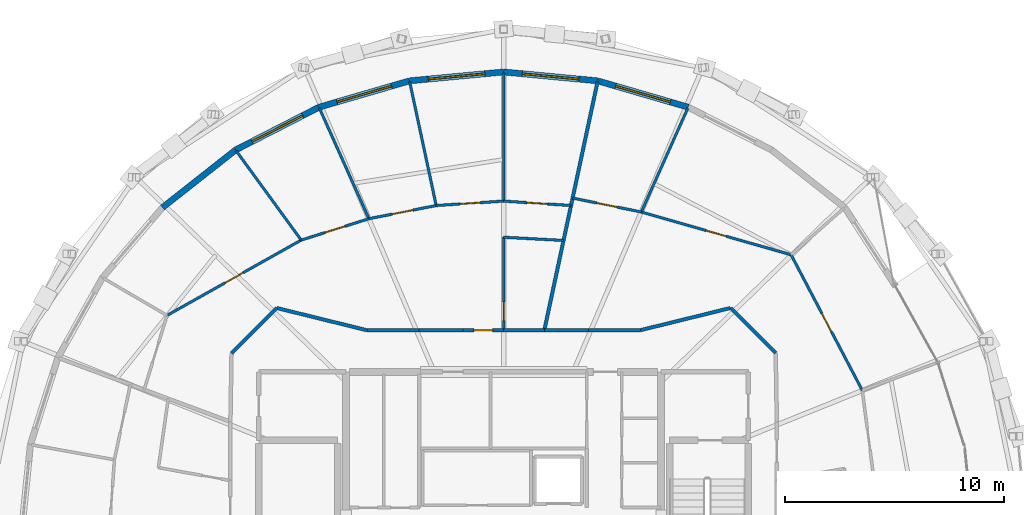
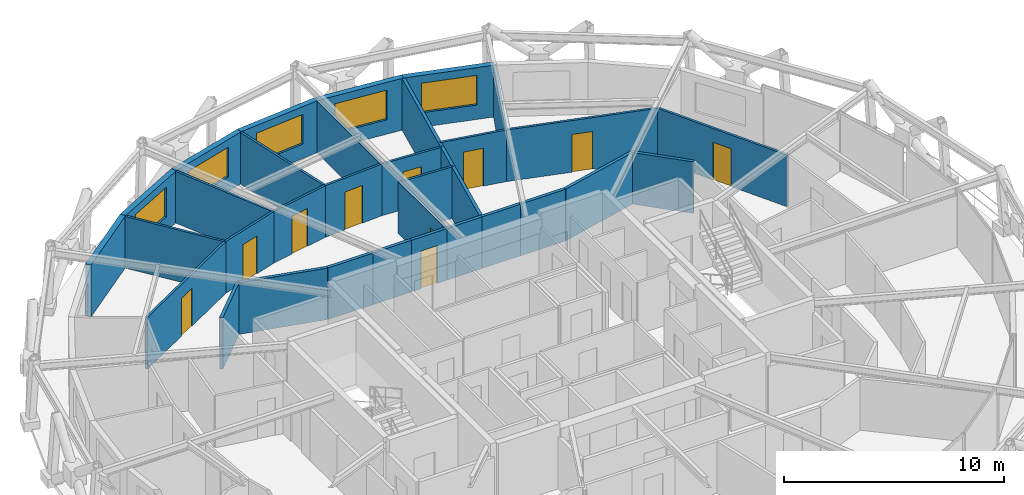
# One storey, part 15 of 17: 32 walls, 10 doors, 5 windows, 15 openings.
"""IFC4 building model written with IfcOpenShell, lengths in metres."""

from ifc_helpers import new_model, si_unit, direction, frame, frame_2d, origin, place, context, subcontext, project, spatial, rectangle, extrude, material, layer, layer_set, type_object, element, fill, save


model = new_model("IFC4")

# Units and contexts
model_context = context("Model", 3, precision=1e-05, world=origin(), true_north=direction((0.0, 1.0)))
body_context = subcontext(model_context, "Body", "Model", "MODEL_VIEW")
ifc_project = project(units=[si_unit("LENGTHUNIT", "METRE"), si_unit("AREAUNIT", "SQUARE_METRE"), si_unit("VOLUMEUNIT", "CUBIC_METRE"), si_unit("PLANEANGLEUNIT", "RADIAN"), si_unit("MASSUNIT", "GRAM", prefix="KILO")], contexts=[model_context])

# Site, building, storey
site_placement = place(None, origin())
site = spatial("IfcSite", under=ifc_project, at=site_placement, CompositionType="ELEMENT")
building_placement = place(site_placement, origin())
building = spatial("IfcBuilding", under=site, at=building_placement, Name="Veldorina Hangang Commons", CompositionType="ELEMENT")
storey_placement = place(building_placement, frame((0.0, 0.0, 236.39990234375)))
storey = spatial("IfcBuildingStorey", under=building, at=storey_placement, Name="L61", CompositionType="ELEMENT", Elevation=236.39990234375)

# Wall, opening, window
ifc_material_1 = material(Name="Stone Roman Travertine", Category="masonry")
ifc_layer_1 = layer(ifc_material_1, 0.280029296875)
ifc_layer_set_1 = layer_set([ifc_layer_1], Name="Stone Roman Travertine")
wall_type_1 = type_object("IfcWallType", Name="EW-TRAV-280", PredefinedType="STANDARD", material=ifc_layer_set_1)
wall_1_placement = place(storey_placement, frame((40.432861328125, 43.536376953125, 0.0), z_axis=(0.0, 0.0, 1.0), x_axis=(-0.960144675866, 0.279503490866, 0.0)))
wall_1 = element("IfcWall", 1, at=wall_1_placement, inside=storey, type_object=wall_type_1, Name="L61 travertine facade wall 06", PredefinedType="STANDARD", context=body_context, shape_type="SweptSolid", body=[
    extrude(rectangle(XDim=4.305419921875, YDim=0.280029296875, at=frame_2d((2.15283203125, 0.0))), origin(), (0.0, 0.0, 1.0), 2.880126953125),
])
opening_1_placement = place(wall_1_placement, frame((0.852783203125, 0.0, 0.800048828125)))
opening_1 = element("IfcOpeningElement", 2, at=opening_1_placement, cuts=wall_1, Name="Opening W-02", PredefinedType="OPENING", context=body_context, shape_type="SweptSolid", body=[
    extrude(rectangle(XDim=2.60009765625, YDim=1.64990234375, at=frame_2d((1.300048828125, 0.824951171875))), frame((0.0, 0.14990234375, 0.0), z_axis=(0.0, -1.0, 0.0), x_axis=(1.0, 0.0, 0.0)), (0.0, 0.0, 1.0), 0.300048828125),
])
ifc_material_2 = material(Name="Glass Low-E Triple IGU", Category="glass")
window_type = type_object("IfcWindowType", Name="WIN-TWR-2600", PartitioningType="SINGLE_PANEL", PredefinedType="WINDOW", material=ifc_material_2)
window_1_placement = place(opening_1_placement, origin())
window_1 = element("IfcWindow", 3, at=window_1_placement, inside=storey, type_object=window_type, Name="L61 facade window 06", OverallHeight=1.64990234375, OverallWidth=2.60009765625, PartitioningType="SINGLE_PANEL", PredefinedType="WINDOW", context=body_context, shape_type="SweptSolid", body=[
    extrude(rectangle(XDim=2.60009765625, YDim=1.64990234375, at=frame_2d((1.300048828125, 0.824951171875))), frame((0.0, 0.030029296875, 0.0), z_axis=(0.0, -1.0, 0.0), x_axis=(1.0, 0.0, 0.0)), (0.0, 0.0, 1.0), 0.06005859375),
])
fill(opening_1, window_1)

wall_2_placement = place(storey_placement, frame((36.299072265625, 44.73974609375, 0.0), z_axis=(0.0, 0.0, 1.0), x_axis=(-0.995564827598, 0.094078021076, 0.0)))
wall_2 = element("IfcWall", 4, at=wall_2_placement, inside=storey, type_object=wall_type_1, Name="L61 travertine facade wall 07", PredefinedType="STANDARD", context=body_context, shape_type="SweptSolid", body=[
    extrude(rectangle(XDim=4.318115234375, YDim=0.280029296875, at=frame_2d((2.1591796875, 0.0))), origin(), (0.0, 0.0, 1.0), 2.880126953125),
])
opening_2_placement = place(wall_2_placement, frame((0.859130859375, 0.0, 0.800048828125)))
opening_2 = element("IfcOpeningElement", 5, at=opening_2_placement, cuts=wall_2, Name="Opening W-02", PredefinedType="OPENING", context=body_context, shape_type="SweptSolid", body=[
    extrude(rectangle(XDim=2.60009765625, YDim=1.64990234375, at=frame_2d((1.300048828125, 0.824951171875))), frame((0.0, 0.14990234375, 0.0), z_axis=(0.0, -1.0, 0.0), x_axis=(1.0, 0.0, 0.0)), (0.0, 0.0, 1.0), 0.300048828125),
])
window_2_placement = place(opening_2_placement, origin())
window_2 = element("IfcWindow", 6, at=window_2_placement, inside=storey, type_object=window_type, Name="L61 facade window 07", OverallHeight=1.64990234375, OverallWidth=2.60009765625, PartitioningType="SINGLE_PANEL", PredefinedType="WINDOW", context=body_context, shape_type="SweptSolid", body=[
    extrude(rectangle(XDim=2.60009765625, YDim=1.64990234375, at=frame_2d((1.300048828125, 0.824951171875))), frame((0.0, 0.030029296875, 0.0), z_axis=(0.0, -1.0, 0.0), x_axis=(1.0, 0.0, 0.0)), (0.0, 0.0, 1.0), 0.06005859375),
])
fill(opening_2, window_2)

wall_3_placement = place(storey_placement, frame((32.0, 45.14599609375, 0.0), z_axis=(0.0, 0.0, 1.0), x_axis=(-0.995564827598, -0.094078021076, 0.0)))
wall_3 = element("IfcWall", 7, at=wall_3_placement, inside=storey, type_object=wall_type_1, Name="L61 travertine facade wall 08", PredefinedType="STANDARD", context=body_context, shape_type="SweptSolid", body=[
    extrude(rectangle(XDim=4.318115234375, YDim=0.280029296875, at=frame_2d((2.1591796875, 0.0))), origin(), (0.0, 0.0, 1.0), 2.880126953125),
])
opening_3_placement = place(wall_3_placement, frame((0.859130859375, 0.0, 0.800048828125)))
opening_3 = element("IfcOpeningElement", 8, at=opening_3_placement, cuts=wall_3, Name="Opening W-02", PredefinedType="OPENING", context=body_context, shape_type="SweptSolid", body=[
    extrude(rectangle(XDim=2.60009765625, YDim=1.64990234375, at=frame_2d((1.300048828125, 0.824951171875))), frame((0.0, 0.14990234375, 0.0), z_axis=(0.0, -1.0, 0.0), x_axis=(1.0, 0.0, 0.0)), (0.0, 0.0, 1.0), 0.300048828125),
])
window_3_placement = place(opening_3_placement, origin())
window_3 = element("IfcWindow", 9, at=window_3_placement, inside=storey, type_object=window_type, Name="L61 facade window 08", OverallHeight=1.64990234375, OverallWidth=2.60009765625, PartitioningType="SINGLE_PANEL", PredefinedType="WINDOW", context=body_context, shape_type="SweptSolid", body=[
    extrude(rectangle(XDim=2.60009765625, YDim=1.64990234375, at=frame_2d((1.300048828125, 0.824951171875))), frame((0.0, 0.030029296875, 0.0), z_axis=(0.0, -1.0, 0.0), x_axis=(1.0, 0.0, 0.0)), (0.0, 0.0, 1.0), 0.06005859375),
])
fill(opening_3, window_3)

wall_4_placement = place(storey_placement, frame((27.700927734375, 44.73974609375, 0.0), z_axis=(0.0, 0.0, 1.0), x_axis=(-0.960144675866, -0.279503490866, 0.0)))
wall_4 = element("IfcWall", 10, at=wall_4_placement, inside=storey, type_object=wall_type_1, Name="L61 travertine facade wall 09", PredefinedType="STANDARD", context=body_context, shape_type="SweptSolid", body=[
    extrude(rectangle(XDim=4.305419921875, YDim=0.280029296875, at=frame_2d((2.15283203125, 0.0))), origin(), (0.0, 0.0, 1.0), 2.880126953125),
])
opening_4_placement = place(wall_4_placement, frame((0.852783203125, 0.0, 0.800048828125)))
opening_4 = element("IfcOpeningElement", 11, at=opening_4_placement, cuts=wall_4, Name="Opening W-02", PredefinedType="OPENING", context=body_context, shape_type="SweptSolid", body=[
    extrude(rectangle(XDim=2.60009765625, YDim=1.64990234375, at=frame_2d((1.300048828125, 0.824951171875))), frame((0.0, 0.14990234375, 0.0), z_axis=(0.0, -1.0, 0.0), x_axis=(1.0, 0.0, 0.0)), (0.0, 0.0, 1.0), 0.300048828125),
])
window_4_placement = place(opening_4_placement, origin())
window_4 = element("IfcWindow", 12, at=window_4_placement, inside=storey, type_object=window_type, Name="L61 facade window 09", OverallHeight=1.64990234375, OverallWidth=2.60009765625, PartitioningType="SINGLE_PANEL", PredefinedType="WINDOW", context=body_context, shape_type="SweptSolid", body=[
    extrude(rectangle(XDim=2.60009765625, YDim=1.64990234375, at=frame_2d((1.300048828125, 0.824951171875))), frame((0.0, 0.030029296875, 0.0), z_axis=(0.0, -1.0, 0.0), x_axis=(1.0, 0.0, 0.0)), (0.0, 0.0, 1.0), 0.06005859375),
])
fill(opening_4, window_4)

wall_5_placement = place(storey_placement, frame((23.567138671875, 43.536376953125, 0.0), z_axis=(0.0, 0.0, 1.0), x_axis=(-0.889784216581, -0.456381471933, 0.0)))
wall_5 = element("IfcWall", 13, at=wall_5_placement, inside=storey, type_object=wall_type_1, Name="L61 travertine facade wall 10", PredefinedType="STANDARD", context=body_context, shape_type="SweptSolid", body=[
    extrude(rectangle(XDim=4.28173828125, YDim=0.280029296875, at=frame_2d((2.140869140625, 0.0))), origin(), (0.0, 0.0, 1.0), 2.880126953125),
])
opening_5_placement = place(wall_5_placement, frame((0.8408203125, 0.0, 0.800048828125)))
opening_5 = element("IfcOpeningElement", 14, at=opening_5_placement, cuts=wall_5, Name="Opening W-02", PredefinedType="OPENING", context=body_context, shape_type="SweptSolid", body=[
    extrude(rectangle(XDim=2.60009765625, YDim=1.64990234375, at=frame_2d((1.300048828125, 0.824951171875))), frame((0.0, 0.14990234375, 0.0), z_axis=(0.0, -1.0, 0.0), x_axis=(1.0, 0.0, 0.0)), (0.0, 0.0, 1.0), 0.300048828125),
])
window_5_placement = place(opening_5_placement, origin())
window_5 = element("IfcWindow", 15, at=window_5_placement, inside=storey, type_object=window_type, Name="L61 facade window 10", OverallHeight=1.64990234375, OverallWidth=2.60009765625, PartitioningType="SINGLE_PANEL", PredefinedType="WINDOW", context=body_context, shape_type="SweptSolid", body=[
    extrude(rectangle(XDim=2.60009765625, YDim=1.64990234375, at=frame_2d((1.300048828125, 0.824951171875))), frame((0.0, 0.030029296875, 0.0), z_axis=(0.0, -1.0, 0.0), x_axis=(1.0, 0.0, 0.0)), (0.0, 0.0, 1.0), 0.06005859375),
])
fill(opening_5, window_5)

# Walls
wall_6_placement = place(storey_placement, frame((19.75732421875, 41.582275390625, 0.0), z_axis=(0.0, 0.0, 1.0), x_axis=(-0.78564818009, -0.618673530322, 0.0)))
element("IfcWall", 16, at=wall_6_placement, inside=storey, type_object=wall_type_1, Name="L61 travertine facade wall 11", PredefinedType="STANDARD", context=body_context, shape_type="SweptSolid", body=[
    extrude(rectangle(XDim=4.25048828125, YDim=0.280029296875, at=frame_2d((2.125244140625, 0.0))), origin(), (0.0, 0.0, 1.0), 2.880126953125),
])
ifc_material_3 = material(Name="Gypsum Fire-Rated Twin Stud Wall", Category="gypsum")
ifc_layer_2 = layer(ifc_material_3, 0.159912109375)
ifc_layer_set_2 = layer_set([ifc_layer_2], Name="Gypsum Fire-Rated Twin Stud Wall")
wall_type_2 = type_object("IfcWallType", Name="WL-FIRE-160", PredefinedType="SOLIDWALL", material=ifc_layer_set_2)
wall_7_placement = place(storey_placement, frame((44.4267578125, 32.30322265625, 0.0), z_axis=(0.0, 0.0, 1.0), x_axis=(-0.707106781187, 0.707106781187, 0.0)))
element("IfcWall", 17, at=wall_7_placement, inside=storey, type_object=wall_type_2, Name="L61 Compact collar outer wall 03 059", PredefinedType="SOLIDWALL", context=body_context, shape_type="SweptSolid", body=[
    extrude(rectangle(XDim=2.915771484375, YDim=0.159912109375, at=frame_2d((1.4580078125, 0.0))), origin(), (0.0, 0.0, 1.0), 2.8701171875),
])
wall_8_placement = place(storey_placement, frame((42.364990234375, 34.364990234375, 0.0), z_axis=(0.0, 0.0, 1.0), x_axis=(-0.970939799552, -0.239323850978, 0.0)))
element("IfcWall", 18, at=wall_8_placement, inside=storey, type_object=wall_type_2, Name="L61 Compact collar outer wall 04 060", PredefinedType="SOLIDWALL", context=body_context, shape_type="SweptSolid", body=[
    extrude(rectangle(XDim=4.24072265625, YDim=0.159912109375, at=frame_2d((2.120361328125, 0.0))), origin(), (0.0, 0.0, 1.0), 2.8701171875),
])
wall_9_placement = place(storey_placement, frame((38.24755859375, 33.35009765625, 0.0), z_axis=(0.0, 0.0, 1.0), x_axis=(-1.0, 0.0, 0.0)))
element("IfcWall", 19, at=wall_9_placement, inside=storey, type_object=wall_type_2, Name="L61 Compact collar outer wall 05 061", PredefinedType="SOLIDWALL", context=body_context, shape_type="SweptSolid", body=[
    extrude(rectangle(XDim=2.374755859375, YDim=0.159912109375, at=frame_2d((1.1875, 0.0))), origin(), (0.0, 0.0, 1.0), 2.8701171875),
])
wall_10_placement = place(storey_placement, frame((35.872802734375, 33.35009765625, 0.0), z_axis=(0.0, 0.0, 1.0), x_axis=(-1.0, 0.0, 0.0)))
element("IfcWall", 20, at=wall_10_placement, inside=storey, type_object=wall_type_2, Name="L61 Compact collar outer wall 06 062", PredefinedType="SOLIDWALL", context=body_context, shape_type="SweptSolid", body=[
    extrude(rectangle(XDim=2.012939453125, YDim=0.159912109375, at=frame_2d((1.00634765625, 0.0))), origin(), (0.0, 0.0, 1.0), 2.8701171875),
])
wall_11_placement = place(storey_placement, frame((33.85986328125, 33.35009765625, 0.0), z_axis=(0.0, 0.0, 1.0), x_axis=(-1.0, 0.0, 0.0)))
element("IfcWall", 21, at=wall_11_placement, inside=storey, type_object=wall_type_2, Name="L61 Compact collar outer wall 07 063", PredefinedType="SOLIDWALL", context=body_context, shape_type="SweptSolid", body=[
    extrude(rectangle(XDim=1.85986328125, YDim=0.159912109375, at=frame_2d((0.929931640625, 0.0))), origin(), (0.0, 0.0, 1.0), 2.8701171875),
])

# Wall, opening, door
wall_12_placement = place(storey_placement, frame((32.0, 33.35009765625, 0.0), z_axis=(0.0, 0.0, 1.0), x_axis=(-1.0, 0.0, 0.0)))
wall_12 = element("IfcWall", 22, at=wall_12_placement, inside=storey, type_object=wall_type_2, Name="L61 Compact collar outer wall 08 064", PredefinedType="SOLIDWALL", context=body_context, shape_type="SweptSolid", body=[
    extrude(rectangle(XDim=1.85986328125, YDim=0.159912109375, at=frame_2d((0.929931640625, 0.0))), origin(), (0.0, 0.0, 1.0), 2.8701171875),
])
opening_6_placement = place(wall_12_placement, frame((0.5, 0.0, 0.0)))
opening_6 = element("IfcOpeningElement", 23, at=opening_6_placement, cuts=wall_12, Name="Opening D-01N", PredefinedType="OPENING", context=body_context, shape_type="SweptSolid", body=[
    extrude(rectangle(XDim=0.860107421875, YDim=2.10009765625, at=frame_2d((0.43017578125, 1.050048828125))), frame((0.0, 0.08984375, 0.0), z_axis=(0.0, -1.0, 0.0), x_axis=(1.0, 0.0, 0.0)), (0.0, 0.0, 1.0), 0.179931640625),
])
ifc_material_4 = material(Name="Timber Fire-Rated Core", Category="wood")
door_type_1 = type_object("IfcDoorType", Name="DR-INT-860", OperationType="SINGLE_SWING_LEFT", PredefinedType="DOOR", material=ifc_material_4)
door_1_placement = place(opening_6_placement, origin())
door_1 = element("IfcDoor", 24, at=door_1_placement, inside=storey, type_object=door_type_1, Name="L61 Cluster 3 entrance door 033", OperationType="SINGLE_SWING_LEFT", OverallHeight=2.10009765625, OverallWidth=0.860107421875, PredefinedType="DOOR", context=body_context, shape_type="SweptSolid", body=[
    extrude(rectangle(XDim=0.860107421875, YDim=2.10009765625, at=frame_2d((0.43017578125, 1.050048828125))), frame((0.0, 0.02490234375, 0.0), z_axis=(0.0, -1.0, 0.0), x_axis=(1.0, 0.0, 0.0)), (0.0, 0.0, 1.0), 0.050048828125),
])
fill(opening_6, door_1)

# Walls
wall_13_placement = place(storey_placement, frame((30.14013671875, 33.35009765625, 0.0), z_axis=(0.0, 0.0, 1.0), x_axis=(-1.0, 0.0, 0.0)))
element("IfcWall", 25, at=wall_13_placement, inside=storey, type_object=wall_type_2, Name="L61 Compact collar outer wall 09 065", PredefinedType="SOLIDWALL", context=body_context, shape_type="SweptSolid", body=[
    extrude(rectangle(XDim=2.012939453125, YDim=0.159912109375, at=frame_2d((1.00634765625, 0.0))), origin(), (0.0, 0.0, 1.0), 2.8701171875),
])
wall_14_placement = place(storey_placement, frame((28.127197265625, 33.35009765625, 0.0), z_axis=(0.0, 0.0, 1.0), x_axis=(-1.0, 0.0, 0.0)))
element("IfcWall", 26, at=wall_14_placement, inside=storey, type_object=wall_type_2, Name="L61 Compact collar outer wall 10 066", PredefinedType="SOLIDWALL", context=body_context, shape_type="SweptSolid", body=[
    extrude(rectangle(XDim=2.374755859375, YDim=0.159912109375, at=frame_2d((1.1875, 0.0))), origin(), (0.0, 0.0, 1.0), 2.8701171875),
])
wall_15_placement = place(storey_placement, frame((25.75244140625, 33.35009765625, 0.0), z_axis=(0.0, 0.0, 1.0), x_axis=(-0.970939799552, 0.239323850978, 0.0)))
element("IfcWall", 27, at=wall_15_placement, inside=storey, type_object=wall_type_2, Name="L61 Compact collar outer wall 11 067", PredefinedType="SOLIDWALL", context=body_context, shape_type="SweptSolid", body=[
    extrude(rectangle(XDim=4.24072265625, YDim=0.159912109375, at=frame_2d((2.120361328125, 0.0))), origin(), (0.0, 0.0, 1.0), 2.8701171875),
])
wall_16_placement = place(storey_placement, frame((21.635009765625, 34.364990234375, 0.0), z_axis=(0.0, 0.0, 1.0), x_axis=(-0.707106781187, -0.707106781187, 0.0)))
element("IfcWall", 28, at=wall_16_placement, inside=storey, type_object=wall_type_2, Name="L61 Compact collar outer wall 12 068", PredefinedType="SOLIDWALL", context=body_context, shape_type="SweptSolid", body=[
    extrude(rectangle(XDim=2.915771484375, YDim=0.159912109375, at=frame_2d((1.4580078125, 0.0))), origin(), (0.0, 0.0, 1.0), 2.8701171875),
])
wall_17_placement = place(storey_placement, frame((33.85986328125, 33.35009765625, 0.0), z_axis=(0.0, 0.0, 1.0), x_axis=(0.209408330321, 0.97782828308, 0.0)))
element("IfcWall", 29, at=wall_17_placement, inside=storey, type_object=wall_type_2, Name="L61 Unit party wall 07 103", PredefinedType="SOLIDWALL", context=body_context, shape_type="SweptSolid", body=[
    extrude(rectangle(XDim=11.597900390625, YDim=0.159912109375, at=frame_2d((5.798828125, 0.0))), origin(), (0.0, 0.0, 1.0), 2.8701171875),
])

# Wall, opening, door
ifc_material_5 = material(Name="Gypsum Acoustic Stud Partition", Category="gypsum")
ifc_layer_3 = layer(ifc_material_5, 0.1201171875)
ifc_layer_set_3 = layer_set([ifc_layer_3], Name="Gypsum Acoustic Stud Partition")
wall_type_3 = type_object("IfcWallType", Name="WL-PART-120", PredefinedType="PARTITIONING", material=ifc_layer_set_3)
wall_18_placement = place(storey_placement, frame((48.381591796875, 30.60498046875, 0.0), z_axis=(0.0, 0.0, 1.0), x_axis=(-0.46497072963, 0.885326053264, 0.0)))
wall_18 = element("IfcWall", 30, at=wall_18_placement, inside=storey, type_object=wall_type_3, Name="L61 Cluster 2 bed 2 front wall 097", PredefinedType="PARTITIONING", context=body_context, shape_type="SweptSolid", body=[
    extrude(rectangle(XDim=6.993408203125, YDim=0.1201171875, at=frame_2d((3.49658203125, 0.0))), origin(), (0.0, 0.0, 1.0), 2.8701171875),
])
opening_7_placement = place(wall_18_placement, frame((3.021484375, 0.0, 0.0)))
opening_7 = element("IfcOpeningElement", 31, at=opening_7_placement, cuts=wall_18, Name="Opening D-02", PredefinedType="OPENING", context=body_context, shape_type="SweptSolid", body=[
    extrude(rectangle(XDim=0.949951171875, YDim=2.10009765625, at=frame_2d((0.47509765625, 1.050048828125))), frame((0.0, 0.070068359375, 0.0), z_axis=(0.0, -1.0, 0.0), x_axis=(1.0, 0.0, 0.0)), (0.0, 0.0, 1.0), 0.14013671875),
])
ifc_material_6 = material(Name="Timber Solid Core Acoustic", Category="wood")
door_type_2 = type_object("IfcDoorType", Name="DR-INT-950", OperationType="SINGLE_SWING_LEFT", PredefinedType="DOOR", material=ifc_material_6)
door_2_placement = place(opening_7_placement, origin())
door_2 = element("IfcDoor", 32, at=door_2_placement, inside=storey, type_object=door_type_2, Name="L61 Cluster 2 bed 2 door 029", OperationType="SINGLE_SWING_LEFT", OverallHeight=2.10009765625, OverallWidth=0.949951171875, PredefinedType="DOOR", context=body_context, shape_type="SweptSolid", body=[
    extrude(rectangle(XDim=0.949951171875, YDim=2.10009765625, at=frame_2d((0.47509765625, 1.050048828125))), frame((0.0, 0.02490234375, 0.0), z_axis=(0.0, -1.0, 0.0), x_axis=(1.0, 0.0, 0.0)), (0.0, 0.0, 1.0), 0.050048828125),
])
fill(opening_7, door_2)

wall_19_placement = place(storey_placement, frame((45.1298828125, 36.79638671875, 0.0), z_axis=(0.0, 0.0, 1.0), x_axis=(-0.961595149336, 0.274471799595, 0.0)))
wall_19 = element("IfcWall", 33, at=wall_19_placement, inside=storey, type_object=wall_type_3, Name="L61 Cluster 2 bed 3 front wall 099", PredefinedType="PARTITIONING", context=body_context, shape_type="SweptSolid", body=[
    extrude(rectangle(XDim=7.11328125, YDim=0.1201171875, at=frame_2d((3.556640625, 0.0))), origin(), (0.0, 0.0, 1.0), 2.8701171875),
])
opening_8_placement = place(wall_19_placement, frame((3.081787109375, 0.0, 0.0)))
opening_8 = element("IfcOpeningElement", 34, at=opening_8_placement, cuts=wall_19, Name="Opening D-02", PredefinedType="OPENING", context=body_context, shape_type="SweptSolid", body=[
    extrude(rectangle(XDim=0.949951171875, YDim=2.10009765625, at=frame_2d((0.47509765625, 1.050048828125))), frame((0.0, 0.070068359375, 0.0), z_axis=(0.0, -1.0, 0.0), x_axis=(1.0, 0.0, 0.0)), (0.0, 0.0, 1.0), 0.14013671875),
])
door_3_placement = place(opening_8_placement, origin())
door_3 = element("IfcDoor", 35, at=door_3_placement, inside=storey, type_object=door_type_2, Name="L61 Cluster 2 bed 3 door 030", OperationType="SINGLE_SWING_RIGHT", OverallHeight=2.10009765625, OverallWidth=0.949951171875, PredefinedType="DOOR", context=body_context, shape_type="SweptSolid", body=[
    extrude(rectangle(XDim=0.949951171875, YDim=2.10009765625, at=frame_2d((0.47509765625, 1.050048828125))), frame((0.0, 0.02490234375, 0.0), z_axis=(0.0, -1.0, 0.0), x_axis=(1.0, 0.0, 0.0)), (0.0, 0.0, 1.0), 0.050048828125),
])
fill(opening_8, door_3)

wall_20_placement = place(storey_placement, frame((38.289794921875, 38.748779296875, 0.0), z_axis=(0.0, 0.0, 1.0), x_axis=(-0.9799449922, 0.199268191799, 0.0)))
wall_20 = element("IfcWall", 36, at=wall_20_placement, inside=storey, type_object=wall_type_3, Name="L61 Cluster 2 bed 4 front wall 101", PredefinedType="PARTITIONING", context=body_context, shape_type="SweptSolid", body=[
    extrude(rectangle(XDim=3.201416015625, YDim=0.1201171875, at=frame_2d((1.6005859375, 0.0))), origin(), (0.0, 0.0, 1.0), 2.8701171875),
])
opening_9_placement = place(wall_20_placement, frame((1.12548828125, 0.0, 0.0)))
opening_9 = element("IfcOpeningElement", 37, at=opening_9_placement, cuts=wall_20, Name="Opening D-02", PredefinedType="OPENING", context=body_context, shape_type="SweptSolid", body=[
    extrude(rectangle(XDim=0.949951171875, YDim=2.10009765625, at=frame_2d((0.47509765625, 1.050048828125))), frame((0.0, 0.070068359375, 0.0), z_axis=(0.0, -1.0, 0.0), x_axis=(1.0, 0.0, 0.0)), (0.0, 0.0, 1.0), 0.14013671875),
])
door_4_placement = place(opening_9_placement, origin())
door_4 = element("IfcDoor", 38, at=door_4_placement, inside=storey, type_object=door_type_2, Name="L61 Cluster 2 bed 4 door 031", OperationType="SINGLE_SWING_LEFT", OverallHeight=2.10009765625, OverallWidth=0.949951171875, PredefinedType="DOOR", context=body_context, shape_type="SweptSolid", body=[
    extrude(rectangle(XDim=0.949951171875, YDim=2.10009765625, at=frame_2d((0.47509765625, 1.050048828125))), frame((0.0, 0.02490234375, 0.0), z_axis=(0.0, -1.0, 0.0), x_axis=(1.0, 0.0, 0.0)), (0.0, 0.0, 1.0), 0.050048828125),
])
fill(opening_9, door_4)

# Walls
wall_21_placement = place(storey_placement, frame((38.289794921875, 38.748779296875, 0.0), z_axis=(0.0, 0.0, 1.0), x_axis=(0.408591704735, 0.912717272118, 0.0)))
element("IfcWall", 39, at=wall_21_placement, inside=storey, type_object=wall_type_3, Name="L61 Cluster 2 bed divider 3 102", PredefinedType="PARTITIONING", context=body_context, shape_type="SweptSolid", body=[
    extrude(rectangle(XDim=5.1953125, YDim=0.1201171875, at=frame_2d((2.59765625, 0.0))), origin(), (0.0, 0.0, 1.0), 2.8701171875),
])
wall_22_placement = place(storey_placement, frame((34.73779296875, 37.4501953125, 0.0), z_axis=(0.0, 0.0, 1.0), x_axis=(-0.998571697587, 0.053428127212, 0.0)))
element("IfcWall", 40, at=wall_22_placement, inside=storey, type_object=wall_type_3, Name="L61 Cluster 3 bath front wall 104", PredefinedType="PARTITIONING", context=body_context, shape_type="SweptSolid", body=[
    extrude(rectangle(XDim=2.74169921875, YDim=0.1201171875, at=frame_2d((1.370849609375, 0.0))), origin(), (0.0, 0.0, 1.0), 2.8701171875),
])

# Wall, opening, door
wall_23_placement = place(storey_placement, frame((32.0, 33.35009765625, 0.0), z_axis=(0.0, 0.0, 1.0), x_axis=(0.0, 1.0, 0.0)))
wall_23 = element("IfcWall", 41, at=wall_23_placement, inside=storey, type_object=wall_type_3, Name="L61 Cluster 3 bath side wall 105", PredefinedType="PARTITIONING", context=body_context, shape_type="SweptSolid", body=[
    extrude(rectangle(XDim=4.24658203125, YDim=0.1201171875, at=frame_2d((2.123291015625, 0.0))), origin(), (0.0, 0.0, 1.0), 2.8701171875),
])
opening_10_placement = place(wall_23_placement, frame((0.43994140625, 0.0, 0.0)))
opening_10 = element("IfcOpeningElement", 42, at=opening_10_placement, cuts=wall_23, Name="Opening D-01", PredefinedType="OPENING", context=body_context, shape_type="SweptSolid", body=[
    extrude(rectangle(XDim=0.860107421875, YDim=2.10009765625, at=frame_2d((0.43017578125, 1.050048828125))), frame((0.0, 0.070068359375, 0.0), z_axis=(0.0, -1.0, 0.0), x_axis=(1.0, 0.0, 0.0)), (0.0, 0.0, 1.0), 0.14013671875),
])
ifc_material_7 = material(Name="Timber Moisture-Resistant Core", Category="wood")
door_type_3 = type_object("IfcDoorType", Name="DR-WET-860", OperationType="SINGLE_SWING_LEFT", PredefinedType="DOOR", material=ifc_material_7)
door_5_placement = place(opening_10_placement, origin())
door_5 = element("IfcDoor", 43, at=door_5_placement, inside=storey, type_object=door_type_3, Name="L61 Cluster 3 shared bathroom door 032", OperationType="SINGLE_SWING_RIGHT", OverallHeight=2.10009765625, OverallWidth=0.860107421875, PredefinedType="DOOR", context=body_context, shape_type="SweptSolid", body=[
    extrude(rectangle(XDim=0.860107421875, YDim=2.10009765625, at=frame_2d((0.43017578125, 1.050048828125))), frame((0.0, 0.02490234375, 0.0), z_axis=(0.0, -1.0, 0.0), x_axis=(1.0, 0.0, 0.0)), (0.0, 0.0, 1.0), 0.050048828125),
])
fill(opening_10, door_5)

wall_24_placement = place(storey_placement, frame((35.07958984375, 39.044921875, 0.0), z_axis=(0.0, 0.0, 1.0), x_axis=(-0.997831812847, 0.065815448572, 0.0)))
wall_24 = element("IfcWall", 44, at=wall_24_placement, inside=storey, type_object=wall_type_3, Name="L61 Cluster 3 bed 1 front wall 106", PredefinedType="PARTITIONING", context=body_context, shape_type="SweptSolid", body=[
    extrude(rectangle(XDim=3.086181640625, YDim=0.1201171875, at=frame_2d((1.54296875, 0.0))), origin(), (0.0, 0.0, 1.0), 2.8701171875),
])
opening_11_placement = place(wall_24_placement, frame((1.068115234375, 0.0, 0.0)))
opening_11 = element("IfcOpeningElement", 45, at=opening_11_placement, cuts=wall_24, Name="Opening D-02", PredefinedType="OPENING", context=body_context, shape_type="SweptSolid", body=[
    extrude(rectangle(XDim=0.949951171875, YDim=2.10009765625, at=frame_2d((0.47509765625, 1.050048828125))), frame((0.0, 0.070068359375, 0.0), z_axis=(0.0, -1.0, 0.0), x_axis=(1.0, 0.0, 0.0)), (0.0, 0.0, 1.0), 0.14013671875),
])
door_6_placement = place(opening_11_placement, origin())
door_6 = element("IfcDoor", 46, at=door_6_placement, inside=storey, type_object=door_type_2, Name="L61 Cluster 3 bed 1 door 034", OperationType="SINGLE_SWING_RIGHT", OverallHeight=2.10009765625, OverallWidth=0.949951171875, PredefinedType="DOOR", context=body_context, shape_type="SweptSolid", body=[
    extrude(rectangle(XDim=0.949951171875, YDim=2.10009765625, at=frame_2d((0.47509765625, 1.050048828125))), frame((0.0, 0.02490234375, 0.0), z_axis=(0.0, -1.0, 0.0), x_axis=(1.0, 0.0, 0.0)), (0.0, 0.0, 1.0), 0.050048828125),
])
fill(opening_11, door_6)

wall_25_placement = place(storey_placement, frame((32.0, 39.248046875, 0.0), z_axis=(0.0, 0.0, 1.0), x_axis=(-0.997831812847, -0.065815448572, 0.0)))
wall_25 = element("IfcWall", 47, at=wall_25_placement, inside=storey, type_object=wall_type_3, Name="L61 Cluster 3 bed 2 front wall 107", PredefinedType="PARTITIONING", context=body_context, shape_type="SweptSolid", body=[
    extrude(rectangle(XDim=3.086181640625, YDim=0.1201171875, at=frame_2d((1.54296875, 0.0))), origin(), (0.0, 0.0, 1.0), 2.8701171875),
])
opening_12_placement = place(wall_25_placement, frame((1.068115234375, 0.0, 0.0)))
opening_12 = element("IfcOpeningElement", 48, at=opening_12_placement, cuts=wall_25, Name="Opening D-02", PredefinedType="OPENING", context=body_context, shape_type="SweptSolid", body=[
    extrude(rectangle(XDim=0.949951171875, YDim=2.10009765625, at=frame_2d((0.47509765625, 1.050048828125))), frame((0.0, 0.070068359375, 0.0), z_axis=(0.0, -1.0, 0.0), x_axis=(1.0, 0.0, 0.0)), (0.0, 0.0, 1.0), 0.14013671875),
])
door_7_placement = place(opening_12_placement, origin())
door_7 = element("IfcDoor", 49, at=door_7_placement, inside=storey, type_object=door_type_2, Name="L61 Cluster 3 bed 2 door 035", OperationType="SINGLE_SWING_LEFT", OverallHeight=2.10009765625, OverallWidth=0.949951171875, PredefinedType="DOOR", context=body_context, shape_type="SweptSolid", body=[
    extrude(rectangle(XDim=0.949951171875, YDim=2.10009765625, at=frame_2d((0.47509765625, 1.050048828125))), frame((0.0, 0.02490234375, 0.0), z_axis=(0.0, -1.0, 0.0), x_axis=(1.0, 0.0, 0.0)), (0.0, 0.0, 1.0), 0.050048828125),
])
fill(opening_12, door_7)

# Wall
wall_26_placement = place(storey_placement, frame((32.0, 39.248046875, 0.0), z_axis=(0.0, 0.0, 1.0), x_axis=(0.0, 1.0, 0.0)))
element("IfcWall", 50, at=wall_26_placement, inside=storey, type_object=wall_type_3, Name="L61 Cluster 3 bed divider 1 108", PredefinedType="PARTITIONING", context=body_context, shape_type="SweptSolid", body=[
    extrude(rectangle(XDim=5.84814453125, YDim=0.1201171875, at=frame_2d((2.924072265625, 0.0))), origin(), (0.0, 0.0, 1.0), 2.8701171875),
])

# Wall, opening, door
wall_27_placement = place(storey_placement, frame((28.92041015625, 39.044921875, 0.0), z_axis=(0.0, 0.0, 1.0), x_axis=(-0.981361344244, -0.192171569238, 0.0)))
wall_27 = element("IfcWall", 51, at=wall_27_placement, inside=storey, type_object=wall_type_3, Name="L61 Cluster 3 bed 3 front wall 109", PredefinedType="PARTITIONING", context=body_context, shape_type="SweptSolid", body=[
    extrude(rectangle(XDim=3.131591796875, YDim=0.1201171875, at=frame_2d((1.56591796875, 0.0))), origin(), (0.0, 0.0, 1.0), 2.8701171875),
])
opening_13_placement = place(wall_27_placement, frame((1.0908203125, 0.0, 0.0)))
opening_13 = element("IfcOpeningElement", 52, at=opening_13_placement, cuts=wall_27, Name="Opening D-02", PredefinedType="OPENING", context=body_context, shape_type="SweptSolid", body=[
    extrude(rectangle(XDim=0.949951171875, YDim=2.10009765625, at=frame_2d((0.47509765625, 1.050048828125))), frame((0.0, 0.070068359375, 0.0), z_axis=(0.0, -1.0, 0.0), x_axis=(1.0, 0.0, 0.0)), (0.0, 0.0, 1.0), 0.14013671875),
])
door_8_placement = place(opening_13_placement, origin())
door_8 = element("IfcDoor", 53, at=door_8_placement, inside=storey, type_object=door_type_2, Name="L61 Cluster 3 bed 3 door 036", OperationType="SINGLE_SWING_RIGHT", OverallHeight=2.10009765625, OverallWidth=0.949951171875, PredefinedType="DOOR", context=body_context, shape_type="SweptSolid", body=[
    extrude(rectangle(XDim=0.949951171875, YDim=2.10009765625, at=frame_2d((0.47509765625, 1.050048828125))), frame((0.0, 0.02490234375, 0.0), z_axis=(0.0, -1.0, 0.0), x_axis=(1.0, 0.0, 0.0)), (0.0, 0.0, 1.0), 0.050048828125),
])
fill(opening_13, door_8)

# Wall
wall_28_placement = place(storey_placement, frame((28.92041015625, 39.044921875, 0.0), z_axis=(0.0, 0.0, 1.0), x_axis=(-0.209384705961, 0.977833342094, 0.0)))
element("IfcWall", 54, at=wall_28_placement, inside=storey, type_object=wall_type_3, Name="L61 Cluster 3 bed divider 2 110", PredefinedType="PARTITIONING", context=body_context, shape_type="SweptSolid", body=[
    extrude(rectangle(XDim=5.77392578125, YDim=0.1201171875, at=frame_2d((2.886962890625, 0.0))), origin(), (0.0, 0.0, 1.0), 2.8701171875),
])

# Wall, opening, door
wall_29_placement = place(storey_placement, frame((25.84716796875, 38.443115234375, 0.0), z_axis=(0.0, 0.0, 1.0), x_axis=(-0.953534866418, -0.301282688726, 0.0)))
wall_29 = element("IfcWall", 55, at=wall_29_placement, inside=storey, type_object=wall_type_3, Name="L61 Cluster 3 bed 4 front wall 111", PredefinedType="PARTITIONING", context=body_context, shape_type="SweptSolid", body=[
    extrude(rectangle(XDim=3.242919921875, YDim=0.1201171875, at=frame_2d((1.62158203125, 0.0))), origin(), (0.0, 0.0, 1.0), 2.8701171875),
])
opening_14_placement = place(wall_29_placement, frame((1.146484375, 0.0, 0.0)))
opening_14 = element("IfcOpeningElement", 56, at=opening_14_placement, cuts=wall_29, Name="Opening D-02", PredefinedType="OPENING", context=body_context, shape_type="SweptSolid", body=[
    extrude(rectangle(XDim=0.949951171875, YDim=2.10009765625, at=frame_2d((0.47509765625, 1.050048828125))), frame((0.0, 0.070068359375, 0.0), z_axis=(0.0, -1.0, 0.0), x_axis=(1.0, 0.0, 0.0)), (0.0, 0.0, 1.0), 0.14013671875),
])
door_9_placement = place(opening_14_placement, origin())
door_9 = element("IfcDoor", 57, at=door_9_placement, inside=storey, type_object=door_type_2, Name="L61 Cluster 3 bed 4 door 037", OperationType="SINGLE_SWING_LEFT", OverallHeight=2.10009765625, OverallWidth=0.949951171875, PredefinedType="DOOR", context=body_context, shape_type="SweptSolid", body=[
    extrude(rectangle(XDim=0.949951171875, YDim=2.10009765625, at=frame_2d((0.47509765625, 1.050048828125))), frame((0.0, 0.02490234375, 0.0), z_axis=(0.0, -1.0, 0.0), x_axis=(1.0, 0.0, 0.0)), (0.0, 0.0, 1.0), 0.050048828125),
])
fill(opening_14, door_9)

# Wall
wall_30_placement = place(storey_placement, frame((25.84716796875, 38.443115234375, 0.0), z_axis=(0.0, 0.0, 1.0), x_axis=(-0.408610947291, 0.912708657653, 0.0)))
element("IfcWall", 58, at=wall_30_placement, inside=storey, type_object=wall_type_3, Name="L61 Cluster 3 bed divider 3 112", PredefinedType="PARTITIONING", context=body_context, shape_type="SweptSolid", body=[
    extrude(rectangle(XDim=5.5302734375, YDim=0.1201171875, at=frame_2d((2.76513671875, 0.0))), origin(), (0.0, 0.0, 1.0), 2.8701171875),
])

# Wall, opening, door
wall_31_placement = place(storey_placement, frame((22.7548828125, 37.466064453125, 0.0), z_axis=(0.0, 0.0, 1.0), x_axis=(-0.872022279864, -0.489466182102, 0.0)))
wall_31 = element("IfcWall", 59, at=wall_31_placement, inside=storey, type_object=wall_type_3, Name="L61 Cluster 3 bed 5 front wall 113", PredefinedType="PARTITIONING", context=body_context, shape_type="SweptSolid", body=[
    extrude(rectangle(XDim=7.029052734375, YDim=0.1201171875, at=frame_2d((3.5146484375, 0.0))), origin(), (0.0, 0.0, 1.0), 2.8701171875),
])
opening_15_placement = place(wall_31_placement, frame((3.03955078125, 0.0, 0.0)))
opening_15 = element("IfcOpeningElement", 60, at=opening_15_placement, cuts=wall_31, Name="Opening D-02", PredefinedType="OPENING", context=body_context, shape_type="SweptSolid", body=[
    extrude(rectangle(XDim=0.949951171875, YDim=2.10009765625, at=frame_2d((0.47509765625, 1.050048828125))), frame((0.0, 0.070068359375, 0.0), z_axis=(0.0, -1.0, 0.0), x_axis=(1.0, 0.0, 0.0)), (0.0, 0.0, 1.0), 0.14013671875),
])
door_10_placement = place(opening_15_placement, origin())
door_10 = element("IfcDoor", 61, at=door_10_placement, inside=storey, type_object=door_type_2, Name="L61 Cluster 3 bed 5 door 038", OperationType="SINGLE_SWING_RIGHT", OverallHeight=2.10009765625, OverallWidth=0.949951171875, PredefinedType="DOOR", context=body_context, shape_type="SweptSolid", body=[
    extrude(rectangle(XDim=0.949951171875, YDim=2.10009765625, at=frame_2d((0.47509765625, 1.050048828125))), frame((0.0, 0.02490234375, 0.0), z_axis=(0.0, -1.0, 0.0), x_axis=(1.0, 0.0, 0.0)), (0.0, 0.0, 1.0), 0.050048828125),
])
fill(opening_15, door_10)

# Wall
wall_32_placement = place(storey_placement, frame((22.7548828125, 37.466064453125, 0.0), z_axis=(0.0, 0.0, 1.0), x_axis=(-0.588684040903, 0.808363222806, 0.0)))
element("IfcWall", 62, at=wall_32_placement, inside=storey, type_object=wall_type_3, Name="L61 Cluster 3 bed divider 4 114", PredefinedType="PARTITIONING", context=body_context, shape_type="SweptSolid", body=[
    extrude(rectangle(XDim=5.042236328125, YDim=0.1201171875, at=frame_2d((2.52099609375, 0.0))), origin(), (0.0, 0.0, 1.0), 2.8701171875),
])

save(model, "model.ifc")
